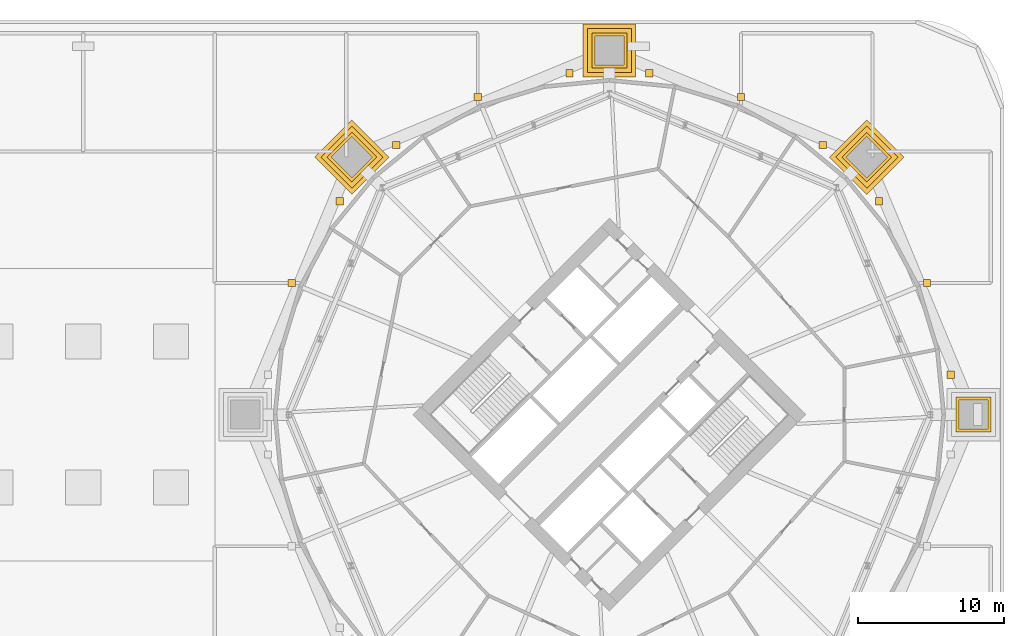
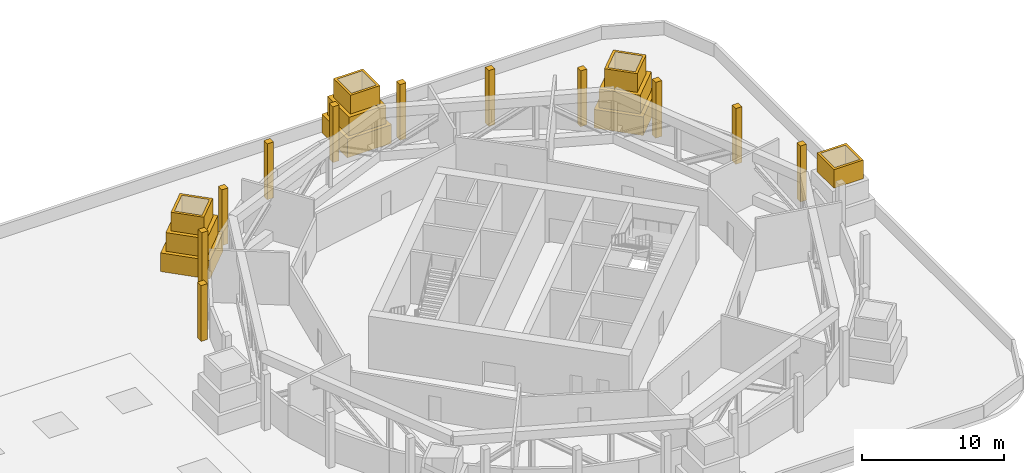
# One storey, part 20 of 21: 21 coverings.
"""IFC4 building model written with IfcOpenShell, lengths in metres."""

from ifc_helpers import new_model, si_unit, direction, frame, origin, origin_2d, place, context, subcontext, project, spatial, polyline, rectangle, outline, extrude, material, layer, layer_set, material_profile, profile_set, type_object, element, save


model = new_model("IFC4")

# Units and contexts
model_context = context("Model", 3, precision=1e-05, world=origin(), true_north=direction((0.0, 1.0)))
body_context = subcontext(model_context, "Body", "Model", "MODEL_VIEW")
ifc_project = project(units=[si_unit("LENGTHUNIT", "METRE"), si_unit("AREAUNIT", "SQUARE_METRE"), si_unit("VOLUMEUNIT", "CUBIC_METRE"), si_unit("PLANEANGLEUNIT", "RADIAN"), si_unit("MASSUNIT", "GRAM", prefix="KILO")], contexts=[model_context])

# Site, building, storey
site_placement = place(None, origin())
site = spatial("IfcSite", under=ifc_project, at=site_placement, CompositionType="ELEMENT")
building_placement = place(site_placement, origin())
building = spatial("IfcBuilding", under=site, at=building_placement, Name="Ogive Gate Towers", CompositionType="ELEMENT")
storey_placement = place(building_placement, frame((0.0, 0.0, 27.60009765625)))
storey = spatial("IfcBuildingStorey", under=building, at=storey_placement, Name="L05", CompositionType="ELEMENT", Elevation=27.60009765625)

# Coverings
ifc_material = material(Name="Cast stone", Category="masonry")
ifc_layer_1 = layer(ifc_material, 0.199951171875)
ifc_layer_set_1 = layer_set([ifc_layer_1], Name="Plinth casing 2400")
covering_type_1 = type_object("IfcCoveringType", Name="Plinth casing 2400", PredefinedType="CLADDING", material=ifc_layer_set_1)
covering_1_placement = place(storey_placement, frame((0.0, 0.0, 3.199951171875)))
element("IfcCovering", 1, at=covering_1_placement, inside=storey, type_object=covering_type_1, Name="Pier plinth casing", PredefinedType="CLADDING", context=body_context, shape_type="SweptSolid", body=[
    extrude(outline(polyline([(59.7099609375, -1.199951171875), (62.110107421875, -1.199951171875), (62.110107421875, 1.199951171875), (59.7099609375, 1.199951171875), (59.7099609375, -1.199951171875)]), holes=[polyline([(59.909912109375, -1.0), (59.909912109375, 1.0), (61.909912109375, 1.0), (61.909912109375, -1.0), (59.909912109375, -1.0)])]), origin(), (0.0, 0.0, 1.0), 1.599853515625),
])
covering_2_placement = place(storey_placement, frame((0.0, 0.0, 3.199951171875)))
element("IfcCovering", 2, at=covering_2_placement, inside=storey, type_object=covering_type_1, Name="Pier plinth casing", PredefinedType="CLADDING", context=body_context, shape_type="SweptSolid", body=[
    extrude(outline(polyline([(53.614013671875, 15.9169921875), (55.31103515625, 17.614013671875), (53.614013671875, 19.31103515625), (51.9169921875, 17.614013671875), (53.614013671875, 15.9169921875)]), holes=[polyline([(53.614013671875, 16.19970703125), (52.19970703125, 17.614013671875), (53.614013671875, 19.0283203125), (55.0283203125, 17.614013671875), (53.614013671875, 16.19970703125)])]), origin(), (0.0, 0.0, 1.0), 1.599853515625),
])
covering_3_placement = place(storey_placement, frame((0.0, 0.0, 3.199951171875)))
element("IfcCovering", 3, at=covering_3_placement, inside=storey, type_object=covering_type_1, Name="Pier plinth casing", PredefinedType="CLADDING", context=body_context, shape_type="SweptSolid", body=[
    extrude(outline(polyline([(37.199951171875, 23.7099609375), (37.199951171875, 26.110107421875), (34.800048828125, 26.110107421875), (34.800048828125, 23.7099609375), (37.199951171875, 23.7099609375)]), holes=[polyline([(37.0, 23.909912109375), (35.0, 23.909912109375), (35.0, 25.909912109375), (37.0, 25.909912109375), (37.0, 23.909912109375)])]), origin(), (0.0, 0.0, 1.0), 1.599853515625),
])
covering_4_placement = place(storey_placement, frame((0.0, 0.0, 3.199951171875)))
element("IfcCovering", 4, at=covering_4_placement, inside=storey, type_object=covering_type_1, Name="Pier plinth casing", PredefinedType="CLADDING", context=body_context, shape_type="SweptSolid", body=[
    extrude(outline(polyline([(20.0830078125, 17.614013671875), (18.385986328125, 19.31103515625), (16.68896484375, 17.614013671875), (18.385986328125, 15.9169921875), (20.0830078125, 17.614013671875)]), holes=[polyline([(19.80029296875, 17.614013671875), (18.385986328125, 16.19970703125), (16.9716796875, 17.614013671875), (18.385986328125, 19.0283203125), (19.80029296875, 17.614013671875)])]), origin(), (0.0, 0.0, 1.0), 1.599853515625),
])
ifc_layer_2 = layer(ifc_material, 0.5)
ifc_layer_set_2 = layer_set([ifc_layer_2], Name="Plinth casing 3000")
covering_type_2 = type_object("IfcCoveringType", Name="Plinth casing 3000", PredefinedType="CLADDING", material=ifc_layer_set_2)
covering_5_placement = place(storey_placement, frame((0.0, 0.0, 1.599853515625)))
element("IfcCovering", 5, at=covering_5_placement, inside=storey, type_object=covering_type_2, Name="Pier plinth casing", PredefinedType="CLADDING", context=body_context, shape_type="SweptSolid", body=[
    extrude(outline(polyline([(53.614013671875, 15.49267578125), (55.7353515625, 17.614013671875), (53.614013671875, 19.7353515625), (51.49267578125, 17.614013671875), (53.614013671875, 15.49267578125)]), holes=[polyline([(53.614013671875, 16.19970703125), (52.19970703125, 17.614013671875), (53.614013671875, 19.0283203125), (55.0283203125, 17.614013671875), (53.614013671875, 16.19970703125)])]), origin(), (0.0, 0.0, 1.0), 1.60009765625),
])
covering_6_placement = place(storey_placement, frame((0.0, 0.0, 1.599853515625)))
element("IfcCovering", 6, at=covering_6_placement, inside=storey, type_object=covering_type_2, Name="Pier plinth casing", PredefinedType="CLADDING", context=body_context, shape_type="SweptSolid", body=[
    extrude(outline(polyline([(37.5, 23.409912109375), (37.5, 26.409912109375), (34.5, 26.409912109375), (34.5, 23.409912109375), (37.5, 23.409912109375)]), holes=[polyline([(37.0, 23.909912109375), (35.0, 23.909912109375), (35.0, 25.909912109375), (37.0, 25.909912109375), (37.0, 23.909912109375)])]), origin(), (0.0, 0.0, 1.0), 1.60009765625),
])
covering_7_placement = place(storey_placement, frame((0.0, 0.0, 1.599853515625)))
element("IfcCovering", 7, at=covering_7_placement, inside=storey, type_object=covering_type_2, Name="Pier plinth casing", PredefinedType="CLADDING", context=body_context, shape_type="SweptSolid", body=[
    extrude(outline(polyline([(20.50732421875, 17.614013671875), (18.385986328125, 19.7353515625), (16.2646484375, 17.614013671875), (18.385986328125, 15.49267578125), (20.50732421875, 17.614013671875)]), holes=[polyline([(19.80029296875, 17.614013671875), (18.385986328125, 16.19970703125), (16.9716796875, 17.614013671875), (18.385986328125, 19.0283203125), (19.80029296875, 17.614013671875)])]), origin(), (0.0, 0.0, 1.0), 1.60009765625),
])
ifc_layer_3 = layer(ifc_material, 0.800048828125)
ifc_layer_set_3 = layer_set([ifc_layer_3], Name="Plinth casing 3600")
covering_type_3 = type_object("IfcCoveringType", Name="Plinth casing 3600", PredefinedType="CLADDING", material=ifc_layer_set_3)
covering_8_placement = place(storey_placement, origin())
element("IfcCovering", 8, at=covering_8_placement, inside=storey, type_object=covering_type_3, Name="Pier plinth casing", PredefinedType="CLADDING", context=body_context, shape_type="SweptSolid", body=[
    extrude(outline(polyline([(53.614013671875, 15.068359375), (56.15966796875, 17.614013671875), (53.614013671875, 20.15966796875), (51.068359375, 17.614013671875), (53.614013671875, 15.068359375)]), holes=[polyline([(53.614013671875, 16.19970703125), (52.19970703125, 17.614013671875), (53.614013671875, 19.0283203125), (55.0283203125, 17.614013671875), (53.614013671875, 16.19970703125)])]), origin(), (0.0, 0.0, 1.0), 1.599853515625),
])
covering_9_placement = place(storey_placement, origin())
element("IfcCovering", 9, at=covering_9_placement, inside=storey, type_object=covering_type_3, Name="Pier plinth casing", PredefinedType="CLADDING", context=body_context, shape_type="SweptSolid", body=[
    extrude(outline(polyline([(37.800048828125, 23.110107421875), (37.800048828125, 26.7099609375), (34.199951171875, 26.7099609375), (34.199951171875, 23.110107421875), (37.800048828125, 23.110107421875)]), holes=[polyline([(37.0, 23.909912109375), (35.0, 23.909912109375), (35.0, 25.909912109375), (37.0, 25.909912109375), (37.0, 23.909912109375)])]), origin(), (0.0, 0.0, 1.0), 1.599853515625),
])
covering_10_placement = place(storey_placement, origin())
element("IfcCovering", 10, at=covering_10_placement, inside=storey, type_object=covering_type_3, Name="Pier plinth casing", PredefinedType="CLADDING", context=body_context, shape_type="SweptSolid", body=[
    extrude(outline(polyline([(20.931640625, 17.614013671875), (18.385986328125, 20.15966796875), (15.84033203125, 17.614013671875), (18.385986328125, 15.068359375), (20.931640625, 17.614013671875)]), holes=[polyline([(19.80029296875, 17.614013671875), (18.385986328125, 16.19970703125), (16.9716796875, 17.614013671875), (18.385986328125, 19.0283203125), (19.80029296875, 17.614013671875)])]), origin(), (0.0, 0.0, 1.0), 1.599853515625),
])
ifc_material_profile = material_profile(ifc_material, rectangle(XDim=0.5, YDim=0.5, at=origin_2d()), Name="500 x 500 cast stone")
ifc_profile_set = profile_set([ifc_material_profile], Name="Cast stone")
covering_type_4 = type_object("IfcCoveringType", Name="Portal rib 500 x 500", PredefinedType="CLADDING", material=ifc_profile_set)
for number, where, z_axis, x_axis, name in (
    (11, (54.4501953125, 14.588623046875, 0.0), (0.0, 0.0, 1.0), (1.0, 0.0, 0.0), "Portal post"),
    (12, (59.362060546875, 2.73046875, 0.0), (0.0, 0.0, 1.0), (1.0, 0.0, 0.0), "Portal post"),
    (13, (57.730712890625, 9.001220703125, 0.0), (0.0, 0.0, 1.0), (1.0, 0.0, 0.0), "Portal mullion"),
    (14, (38.73046875, 23.362060546875, 0.0), (0.0, 0.0, 1.0), (1.0, 0.0, 0.0), "Portal post"),
    (15, (50.588623046875, 18.4501953125, 0.0), (0.0, 0.0, 1.0), (1.0, 0.0, 0.0), "Portal post"),
    (16, (45.001220703125, 21.730712890625, 0.0), (0.0, 0.0, 1.0), (1.0, 0.0, 0.0), "Portal mullion"),
    (17, (21.411376953125, 18.4501953125, 0.0), (0.0, 0.0, 1.0), (1.0, 0.0, 0.0), "Portal post"),
    (18, (33.26953125, 23.362060546875, 0.0), (0.0, 0.0, 1.0), (1.0, 0.0, 0.0), "Portal post"),
    (19, (26.998779296875, 21.730712890625, 0.0), (0.0, 0.0, 1.0), (1.0, 0.0, 0.0), "Portal mullion"),
    (20, (17.5498046875, 14.588623046875, 0.0), (0.0, 0.0, 1.0), (1.0, 0.0, 0.0), "Portal post"),
    (21, (14.269287109375, 9.001220703125, 0.0), (0.0, 0.0, 1.0), (1.0, 0.0, 0.0), "Portal mullion"),
):
    element("IfcCovering", number, at=place(storey_placement, frame(where, z_axis=z_axis, x_axis=x_axis)), inside=storey, type_object=covering_type_4, Name=name, PredefinedType="CLADDING", context=body_context, shape_type="SweptSolid", body=[
        extrude(rectangle(XDim=0.5, YDim=0.5, at=origin_2d()), origin(), (0.0, 0.0, 1.0), 4.7998046875),
    ])

save(model, "model.ifc")
